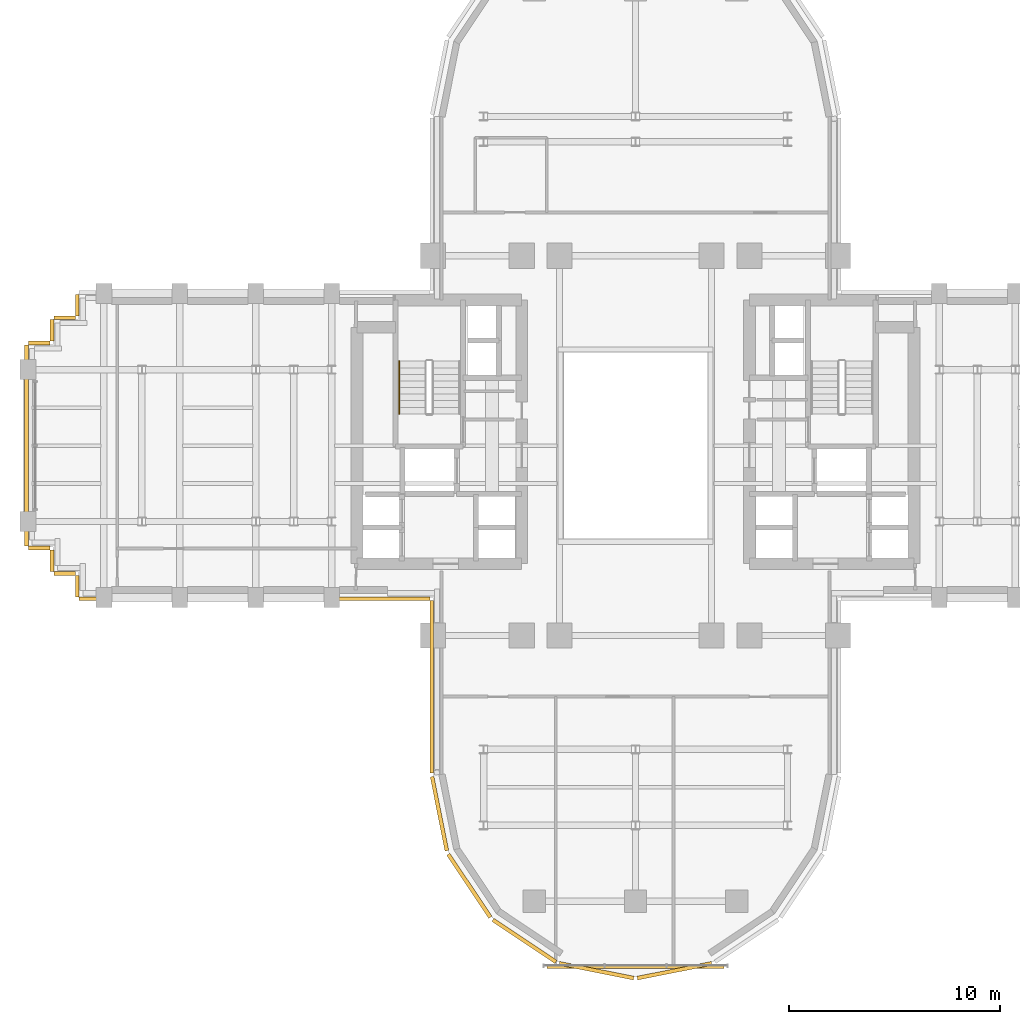
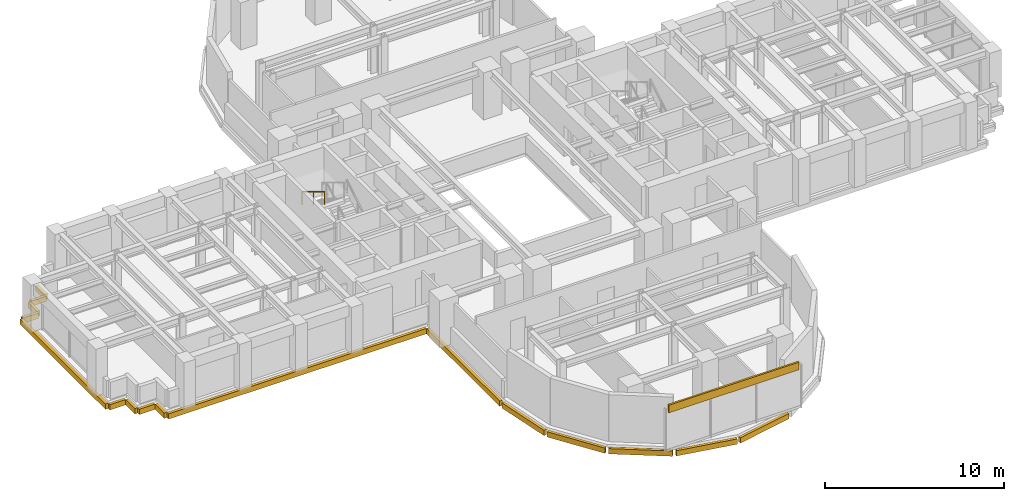
# One storey, part 13 of 16: 17 coverings, 1 railing.
"""IFC4 building model written with IfcOpenShell, lengths in metres."""

from ifc_helpers import new_model, si_unit, direction, frame, origin, origin_2d, place, context, subcontext, project, spatial, rectangle, extrude, source, transform, mapped, material, layer, layer_set, type_object, element, save


model = new_model("IFC4")

# Units and contexts
model_context = context("Model", 3, precision=1e-05, world=origin(), true_north=direction((0.0, 1.0)))
body_context = subcontext(model_context, "Body", "Model", "MODEL_VIEW")
ifc_project = project(units=[si_unit("LENGTHUNIT", "METRE"), si_unit("AREAUNIT", "SQUARE_METRE"), si_unit("VOLUMEUNIT", "CUBIC_METRE"), si_unit("PLANEANGLEUNIT", "RADIAN"), si_unit("MASSUNIT", "GRAM", prefix="KILO")], contexts=[model_context])

# Site, building, storey
site_placement = place(None, origin())
site = spatial("IfcSite", under=ifc_project, at=site_placement, CompositionType="ELEMENT")
building_placement = place(site_placement, origin())
building = spatial("IfcBuilding", under=site, at=building_placement, Name="Keilestroom Media Tower", CompositionType="ELEMENT")
storey_placement = place(building_placement, frame((0.0, 0.0, 54.39990234375)))
storey = spatial("IfcBuildingStorey", under=building, at=storey_placement, Name="L13", CompositionType="ELEMENT", Elevation=54.39990234375)

# Railing
ifc_material_1 = material(Name="Brushed Stainless Steel 1.4301", Category="steel")
railing_type = type_object("IfcRailingType", Name="Stair-Pitch-Handrail-920", PredefinedType="HANDRAIL", material=ifc_material_1)
railing_placement = place(storey_placement, frame((-11.2099609375, 3.99609375, 1.888916015625)))
element("IfcRailing", 1, at=railing_placement, inside=storey, type_object=railing_type, Name="L13 ST-1 stair handrail 2", PredefinedType="HANDRAIL", context=body_context, shape_type="SweptSolid", body=[
    extrude(rectangle(XDim=0.048095703125, YDim=0.048095703125, at=origin_2d()), frame((0.0, 0.0, 0.8759765625), z_axis=(0.0, -0.855433747314, 0.517912255074), x_axis=(1.0, 0.0, 0.0)), (0.0, 0.0, 1.0), 2.91796875),
    extrude(rectangle(XDim=0.0419921875, YDim=0.0419921875, at=origin_2d()), origin(), (0.0, 0.0, 1.0), 0.84375),
    extrude(rectangle(XDim=0.0419921875, YDim=0.0419921875, at=origin_2d()), frame((0.0, -1.248046875, 0.755615234375)), (0.0, 0.0, 1.0), 0.84375),
    extrude(rectangle(XDim=0.0419921875, YDim=0.0419921875, at=origin_2d()), frame((0.0, -2.49609375, 1.51123046875)), (0.0, 0.0, 1.0), 0.84375),
])

# Coverings
ifc_material_2 = material(Name="Precast concrete C40/50", Category="concrete")
ifc_layer = layer(ifc_material_2, 0.1201171875)
ifc_layer_set = layer_set([ifc_layer], Name="Precast concrete C40/50")
covering_type = type_object("IfcCoveringType", Name="Exterior-Precast-Spandrel-Cladding-Panel-120", PredefinedType="CLADDING", material=ifc_layer_set)
shared_shape_1 = source(origin(), body_context, "Body", "SweptSolid", [
    extrude(rectangle(XDim=8.39990234375, YDim=0.1201171875, at=origin_2d()), origin(), (0.0, 0.0, 1.0), 0.52001953125),
])
covering_1_placement = place(storey_placement, frame((0.0, -24.719970703125, 2.690185546875), z_axis=(0.0, 0.0, 1.0), x_axis=(1.0, 0.0, 0.0)))
element("IfcCovering", 2, at=covering_1_placement, inside=storey, type_object=covering_type, Name="L13 Precast Spandrel Cladding S", PredefinedType="CLADDING", context=body_context, shape_type="MappedRepresentation", body=[
    mapped(shared_shape_1, transform((0.0, 0.0, 0.0), x_axis=(1.0, 0.0, 0.0), y_axis=(0.0, 1.0, 0.0), z_axis=(0.0, 0.0, 1.0), scale=1.0)),
])
shared_shape_2 = source(origin(), body_context, "Body", "SweptSolid", [
    extrude(rectangle(XDim=1.02001953125, YDim=0.179931640625, at=origin_2d()), origin(), (0.0, 0.0, 1.0), 0.360107421875),
])
for number, where, z_axis, x_axis, name in (
    (3, (-26.4599609375, -6.659912109375, -0.5400390625), (0.0, 0.0, 1.0), (0.0, 1.0, 0.0), "L13 Precast Slab-Edge Fascia Cornice 17"),
    (4, (-27.06005859375, -6.06005859375, -0.5400390625), (0.0, 0.0, 1.0), (-1.0, 0.0, 0.0), "L13 Precast Slab-Edge Fascia Cornice 18"),
    (5, (-27.659912109375, -5.4599609375, -0.5400390625), (0.0, 0.0, 1.0), (0.0, 1.0, 0.0), "L13 Precast Slab-Edge Fascia Cornice 19"),
    (6, (-28.260009765625, -4.860107421875, -0.5400390625), (0.0, 0.0, 1.0), (-1.0, 0.0, 0.0), "L13 Precast Slab-Edge Fascia Cornice 20"),
    (7, (-28.260009765625, 4.860107421875, -0.5400390625), (0.0, 0.0, 1.0), (1.0, 0.0, 0.0), "L13 Precast Slab-Edge Fascia Cornice 22"),
    (8, (-27.659912109375, 5.4599609375, -0.5400390625), (0.0, 0.0, 1.0), (0.0, 1.0, 0.0), "L13 Precast Slab-Edge Fascia Cornice 23"),
    (9, (-27.06005859375, 6.06005859375, -0.5400390625), (0.0, 0.0, 1.0), (1.0, 0.0, 0.0), "L13 Precast Slab-Edge Fascia Cornice 24"),
    (10, (-26.4599609375, 6.659912109375, -0.5400390625), (0.0, 0.0, 1.0), (0.0, 1.0, 0.0), "L13 Precast Slab-Edge Fascia Cornice 25"),
):
    element("IfcCovering", number, at=place(storey_placement, frame(where, z_axis=z_axis, x_axis=x_axis)), inside=storey, type_object=covering_type, Name=name, PredefinedType="CLADDING", context=body_context, shape_type="MappedRepresentation", body=[
        mapped(shared_shape_2, transform((0.0, 0.0, 0.0), x_axis=(1.0, 0.0, 0.0), y_axis=(0.0, 1.0, 0.0), z_axis=(0.0, 0.0, 1.0), scale=1.0)),
    ])
shared_shape_3 = source(origin(), body_context, "Body", "SweptSolid", [
    extrude(rectangle(XDim=16.6201171875, YDim=0.179931640625, at=origin_2d()), origin(), (0.0, 0.0, 1.0), 0.360107421875),
])
covering_2_placement = place(storey_placement, frame((-18.06005859375, -7.260009765625, -0.5400390625), z_axis=(0.0, 0.0, 1.0), x_axis=(-1.0, 0.0, 0.0)))
element("IfcCovering", 11, at=covering_2_placement, inside=storey, type_object=covering_type, Name="L13 Precast Slab-Edge Fascia Cornice 16", PredefinedType="CLADDING", context=body_context, shape_type="MappedRepresentation", body=[
    mapped(shared_shape_3, transform((0.0, 0.0, 0.0), x_axis=(1.0, 0.0, 0.0), y_axis=(0.0, 1.0, 0.0), z_axis=(0.0, 0.0, 1.0), scale=1.0)),
])
shared_shape_4 = source(origin(), body_context, "Body", "SweptSolid", [
    extrude(rectangle(XDim=8.166015625, YDim=0.179931640625, at=origin_2d()), origin(), (0.0, 0.0, 1.0), 0.360107421875),
])
covering_3_placement = place(storey_placement, frame((-9.659912109375, -11.43310546875, -0.5400390625), z_axis=(0.0, 0.0, 1.0), x_axis=(0.0, 1.0, 0.0)))
element("IfcCovering", 12, at=covering_3_placement, inside=storey, type_object=covering_type, Name="L13 Precast Slab-Edge Fascia Cornice 15", PredefinedType="CLADDING", context=body_context, shape_type="MappedRepresentation", body=[
    mapped(shared_shape_4, transform((0.0, 0.0, 0.0), x_axis=(1.0, 0.0, 0.0), y_axis=(0.0, 1.0, 0.0), z_axis=(0.0, 0.0, 1.0), scale=1.0)),
])
shared_shape_5 = source(origin(), body_context, "Body", "SweptSolid", [
    extrude(rectangle(XDim=3.58349609375, YDim=0.179931640625, at=origin_2d()), origin(), (0.0, 0.0, 1.0), 0.360107421875),
])
covering_4_placement = place(storey_placement, frame((-9.29296875, -17.45166015625, -0.5400390625), z_axis=(0.0, 0.0, 1.0), x_axis=(-0.195098880975, 0.980783577882, 0.0)))
element("IfcCovering", 13, at=covering_4_placement, inside=storey, type_object=covering_type, Name="L13 Precast Slab-Edge Fascia Cornice 14", PredefinedType="CLADDING", context=body_context, shape_type="MappedRepresentation", body=[
    mapped(shared_shape_5, transform((0.0, 0.0, 0.0), x_axis=(1.0, 0.0, 0.0), y_axis=(0.0, 1.0, 0.0), z_axis=(0.0, 0.0, 1.0), scale=1.0)),
])
shared_shape_6 = source(origin(), body_context, "Body", "SweptSolid", [
    extrude(rectangle(XDim=3.589599609375, YDim=0.179931640625, at=origin_2d()), origin(), (0.0, 0.0, 1.0), 0.360107421875),
])
for number, where, z_axis, x_axis, name in (
    (14, (1.8486328125, -24.893310546875, -0.5400390625), (0.0, 0.0, 1.0), (-0.980783577882, -0.195098880975, 0.0), "L13 Precast Slab-Edge Fascia Cornice 10"),
    (15, (-1.8486328125, -24.893310546875, -0.5400390625), (0.0, 0.0, 1.0), (-0.980783577882, 0.195098880975, 0.0), "L13 Precast Slab-Edge Fascia Cornice 11"),
    (16, (-5.264404296875, -23.478515625, -0.5400390625), (0.0, 0.0, 1.0), (-0.831466703332, 0.555574586577, 0.0), "L13 Precast Slab-Edge Fascia Cornice 12"),
    (17, (-7.878662109375, -20.8642578125, -0.5400390625), (0.0, 0.0, 1.0), (-0.555574586577, 0.831466703332, 0.0), "L13 Precast Slab-Edge Fascia Cornice 13"),
):
    element("IfcCovering", number, at=place(storey_placement, frame(where, z_axis=z_axis, x_axis=x_axis)), inside=storey, type_object=covering_type, Name=name, PredefinedType="CLADDING", context=body_context, shape_type="MappedRepresentation", body=[
        mapped(shared_shape_6, transform((0.0, 0.0, 0.0), x_axis=(1.0, 0.0, 0.0), y_axis=(0.0, 1.0, 0.0), z_axis=(0.0, 0.0, 1.0), scale=1.0)),
    ])
shared_shape_7 = source(origin(), body_context, "Body", "SweptSolid", [
    extrude(rectangle(XDim=9.5400390625, YDim=0.179931640625, at=origin_2d()), origin(), (0.0, 0.0, 1.0), 0.360107421875),
])
covering_5_placement = place(storey_placement, frame((-28.860107421875, 0.0, -0.5400390625), z_axis=(0.0, 0.0, 1.0), x_axis=(0.0, 1.0, 0.0)))
element("IfcCovering", 18, at=covering_5_placement, inside=storey, type_object=covering_type, Name="L13 Precast Slab-Edge Fascia Cornice 21", PredefinedType="CLADDING", context=body_context, shape_type="MappedRepresentation", body=[
    mapped(shared_shape_7, transform((0.0, 0.0, 0.0), x_axis=(1.0, 0.0, 0.0), y_axis=(0.0, 1.0, 0.0), z_axis=(0.0, 0.0, 1.0), scale=1.0)),
])

save(model, "model.ifc")
